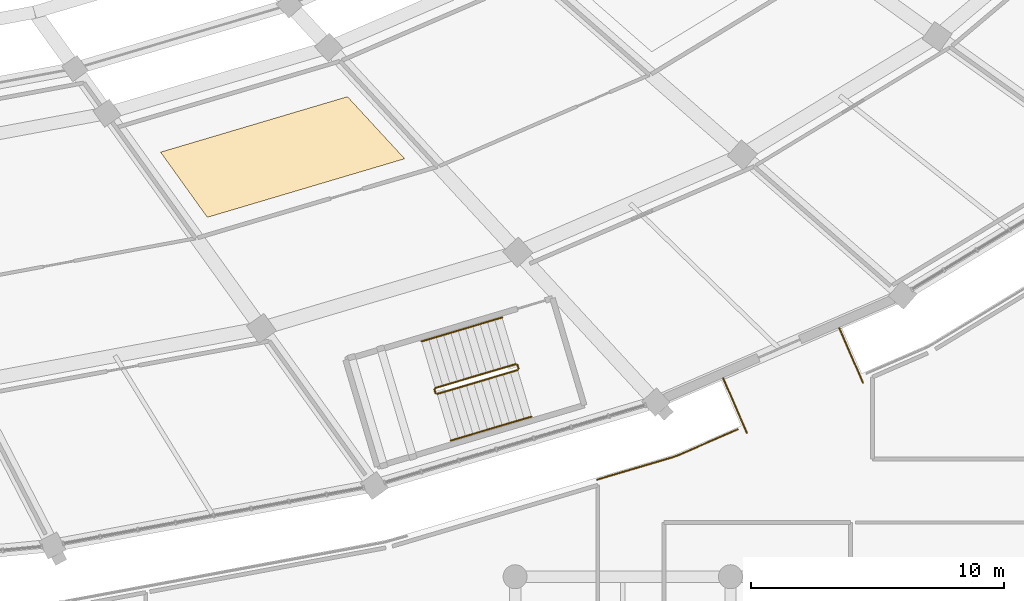
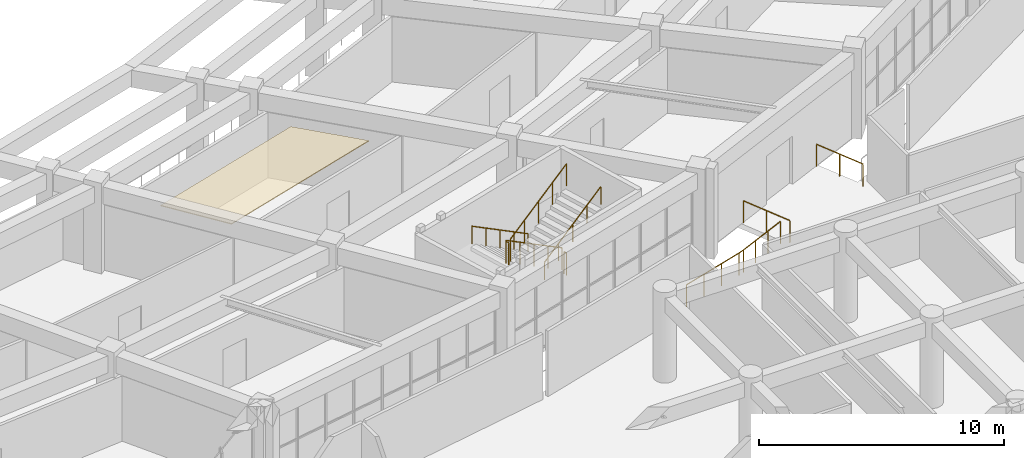
# One storey, part 129 of 145: 9 railings, 1 covering.
"""IFC4 building model written with IfcOpenShell, lengths in metres."""

from ifc_helpers import new_model, si_unit, direction, frame, origin, origin_2d, place, context, subcontext, project, spatial, polyline, circle, outline, extrude, material, layer, layer_set, type_object, element, save


model = new_model("IFC4")

# Units and contexts
model_context = context("Model", 3, precision=1e-05, world=origin(), true_north=direction((0.0, 1.0)))
body_context = subcontext(model_context, "Body", "Model", "MODEL_VIEW")
ifc_project = project(units=[si_unit("LENGTHUNIT", "METRE"), si_unit("AREAUNIT", "SQUARE_METRE"), si_unit("VOLUMEUNIT", "CUBIC_METRE"), si_unit("PLANEANGLEUNIT", "RADIAN"), si_unit("MASSUNIT", "GRAM", prefix="KILO")], contexts=[model_context])

# Site, building, storey
site_placement = place(None, origin())
site = spatial("IfcSite", under=ifc_project, at=site_placement, CompositionType="ELEMENT")
building_placement = place(site_placement, origin())
building = spatial("IfcBuilding", under=site, at=building_placement, Name="Mphavela Belvedere Stadium", CompositionType="ELEMENT")
storey_placement = place(building_placement, frame((0.0, 0.0, 10.199951171875)))
storey = spatial("IfcBuildingStorey", under=building, at=storey_placement, Name="L02", CompositionType="ELEMENT", Elevation=10.199951171875)

# Covering
ifc_material_1 = material(Name="Perforated acoustic mineral ceiling tile")
ifc_layer = layer(ifc_material_1, 0.0400390625)
ifc_layer_set = layer_set([ifc_layer], Name="Perforated acoustic mineral ceiling tile")
covering_type = type_object("IfcCoveringType", Name="COV-CEILING-ACOUSTIC", PredefinedType="CEILING", material=ifc_layer_set)
covering_placement = place(storey_placement, frame((0.0, 0.0, 3.199951171875)))
element("IfcCovering", 1, at=covering_placement, inside=storey, type_object=covering_type, Name="Concourse acoustic ceiling L02-40", PredefinedType="CEILING", context=body_context, shape_type="SweptSolid", body=[
    extrude(outline(polyline([(156.34765625, 30.79248046875), (163.7392578125, 32.986572265625), (166.002197265625, 30.532470703125), (158.197021484375, 28.2158203125), (156.34765625, 30.79248046875)])), origin(), (0.0, 0.0, 1.0), 0.0400390625),
])

# Railings
ifc_material_2 = material(Name="Bronze and laminated glass stadium balustrade", Category="glass")
railing_type_1 = type_object("IfcRailingType", Name="RAL-BALUSTRADE-1120", PredefinedType="BALUSTRADE", material=ifc_material_2)
railing_1_placement = place(storey_placement, frame((178.602783203125, 21.84619140625, 0.0)))
element("IfcRailing", 2, at=railing_1_placement, inside=storey, type_object=railing_type_1, Name="Colonnade link bridge balustrade L02-41A", PredefinedType="BALUSTRADE", context=body_context, shape_type="SweptSolid", body=[
    extrude(circle(Radius=0.02392578125, at=origin_2d()), frame((0.0, 0.0, 1.09619140625), z_axis=(0.397677406785, -0.917525302176, 0.0), x_axis=(0.917525302176, 0.397677406785, 0.0)), (0.0, 0.0, 1.0), 2.35009765625),
    extrude(circle(Radius=0.02099609375, at=origin_2d()), origin(), (0.0, 0.0, 1.0), 1.072021484375),
    extrude(circle(Radius=0.02099609375, at=origin_2d()), frame((0.46728515625, -1.078125, 0.0)), (0.0, 0.0, 1.0), 1.072021484375),
    extrude(circle(Radius=0.02099609375, at=origin_2d()), frame((0.9345703125, -2.15625, 0.0)), (0.0, 0.0, 1.0), 1.072021484375),
])
railing_2_placement = place(storey_placement, frame((183.190185546875, 23.834716796875, 0.0)))
element("IfcRailing", 3, at=railing_2_placement, inside=storey, type_object=railing_type_1, Name="Colonnade link bridge balustrade L02-41B", PredefinedType="BALUSTRADE", context=body_context, shape_type="SweptSolid", body=[
    extrude(circle(Radius=0.02392578125, at=origin_2d()), frame((0.0, 0.0, 1.09619140625), z_axis=(0.397802772945, -0.91747095531, 0.0), x_axis=(0.91747095531, 0.397802772945, 0.0)), (0.0, 0.0, 1.0), 2.349853515625),
    extrude(circle(Radius=0.02099609375, at=origin_2d()), origin(), (0.0, 0.0, 1.0), 1.072021484375),
    extrude(circle(Radius=0.02099609375, at=origin_2d()), frame((0.46728515625, -1.078125, 0.0)), (0.0, 0.0, 1.0), 1.072021484375),
    extrude(circle(Radius=0.02099609375, at=origin_2d()), frame((0.934814453125, -2.156005859375, 0.0)), (0.0, 0.0, 1.0), 1.072021484375),
])
railing_3_placement = place(storey_placement, frame((173.6171875, 17.841796875, 0.0)))
element("IfcRailing", 4, at=railing_3_placement, inside=storey, type_object=railing_type_1, Name="Peristyle wing gallery edge balustrade L02-06", PredefinedType="BALUSTRADE", context=body_context, shape_type="SweptSolid", body=[
    extrude(circle(Radius=0.02392578125, at=origin_2d()), frame((0.0, 0.0, 1.09619140625), z_axis=(0.958645524177, 0.284602809148, 0.0), x_axis=(-0.284602809148, 0.958645524177, 0.0)), (0.0, 0.0, 1.0), 3.101806640625),
    extrude(circle(Radius=0.02392578125, at=origin_2d()), frame((2.9736328125, 0.8828125, 1.09619140625), z_axis=(0.939740596708, 0.341888301786, 0.0), x_axis=(-0.341888301786, 0.939740596708, 0.0)), (0.0, 0.0, 1.0), 0.27001953125),
    extrude(circle(Radius=0.02392578125, at=origin_2d()), frame((3.227294921875, 0.97509765625, 1.09619140625), z_axis=(0.917490104343, 0.397758605731, 0.0), x_axis=(-0.397758605731, 0.917490104343, 0.0)), (0.0, 0.0, 1.0), 2.5380859375),
    extrude(circle(Radius=0.02099609375, at=origin_2d()), origin(), (0.0, 0.0, 1.0), 1.072021484375),
    extrude(circle(Radius=0.02099609375, at=origin_2d()), frame((0.9912109375, 0.294189453125, 0.0)), (0.0, 0.0, 1.0), 1.072021484375),
    extrude(circle(Radius=0.02099609375, at=origin_2d()), frame((1.982421875, 0.588623046875, 0.0)), (0.0, 0.0, 1.0), 1.072021484375),
    extrude(circle(Radius=0.02099609375, at=origin_2d()), frame((2.9736328125, 0.8828125, 0.0)), (0.0, 0.0, 1.0), 1.072021484375),
    extrude(circle(Radius=0.02099609375, at=origin_2d()), frame((3.227294921875, 0.97509765625, 0.0)), (0.0, 0.0, 1.0), 1.072021484375),
    extrude(circle(Radius=0.02099609375, at=origin_2d()), frame((4.00341796875, 1.3115234375, 0.0)), (0.0, 0.0, 1.0), 1.072021484375),
    extrude(circle(Radius=0.02099609375, at=origin_2d()), frame((4.77978515625, 1.648193359375, 0.0)), (0.0, 0.0, 1.0), 1.072021484375),
    extrude(circle(Radius=0.02099609375, at=origin_2d()), frame((5.555908203125, 1.984619140625, 0.0)), (0.0, 0.0, 1.0), 1.072021484375),
])
ifc_material_3 = material(Name="Painted galvanised steel stair guardrail", Category="steel")
railing_type_2 = type_object("IfcRailingType", Name="RAL-GUARD-1120", PredefinedType="GUARDRAIL", material=ifc_material_3)
railing_4_placement = place(storey_placement, frame((170.39990234375, 22.41259765625, 0.1875)))
element("IfcRailing", 5, at=railing_4_placement, inside=storey, type_object=railing_type_2, Name="L02 ST-P04 stair guard 1", PredefinedType="GUARDRAIL", context=body_context, shape_type="SweptSolid", body=[
    extrude(circle(Radius=0.02392578125, at=origin_2d()), frame((0.0, 0.0, 1.09619140625), z_axis=(-0.814456163261, -0.241701917202, 0.527485868386), x_axis=(0.284501194376, -0.958675685724, 0.0)), (0.0, 0.0, 1.0), 3.91015625),
    extrude(circle(Radius=0.02099609375, at=origin_2d()), origin(), (0.0, 0.0, 1.0), 1.072021484375),
    extrude(circle(Radius=0.02099609375, at=origin_2d()), frame((-0.796142578125, -0.236328125, 0.515625)), (0.0, 0.0, 1.0), 1.072021484375),
    extrude(circle(Radius=0.02099609375, at=origin_2d()), frame((-1.59228515625, -0.47265625, 1.03125)), (0.0, 0.0, 1.0), 1.072021484375),
    extrude(circle(Radius=0.02099609375, at=origin_2d()), frame((-2.388427734375, -0.708740234375, 1.546875)), (0.0, 0.0, 1.0), 1.072021484375),
    extrude(circle(Radius=0.02099609375, at=origin_2d()), frame((-3.1845703125, -0.945068359375, 2.0625)), (0.0, 0.0, 1.0), 1.072021484375),
])
railing_5_placement = place(storey_placement, frame((167.181640625, 21.4052734375, 2.25)))
element("IfcRailing", 6, at=railing_5_placement, inside=storey, type_object=railing_type_2, Name="L02 ST-P04 stair guard 2", PredefinedType="GUARDRAIL", context=body_context, shape_type="SweptSolid", body=[
    extrude(circle(Radius=0.02392578125, at=origin_2d()), frame((0.0, 0.0, 1.09619140625), z_axis=(0.284808608521, -0.958584402394, 0.0), x_axis=(0.958584402394, 0.284808608521, 0.0)), (0.0, 0.0, 1.0), 0.14990234375),
    extrude(circle(Radius=0.02099609375, at=origin_2d()), origin(), (0.0, 0.0, 1.0), 1.072021484375),
    extrude(circle(Radius=0.02099609375, at=origin_2d()), frame((0.042724609375, -0.143798828125, 0.0)), (0.0, 0.0, 1.0), 1.072021484375),
])
railing_6_placement = place(storey_placement, frame((167.286376953125, 21.227783203125, 2.4375)))
element("IfcRailing", 7, at=railing_6_placement, inside=storey, type_object=railing_type_2, Name="L02 ST-P04 stair guard 3", PredefinedType="GUARDRAIL", context=body_context, shape_type="SweptSolid", body=[
    extrude(circle(Radius=0.02392578125, at=origin_2d()), frame((0.0, 0.0, 1.09619140625), z_axis=(0.814464890619, 0.241748413682, 0.527451084396), x_axis=(-0.284548690927, 0.95866158914, 0.0)), (0.0, 0.0, 1.0), 3.910400390625),
    extrude(circle(Radius=0.02099609375, at=origin_2d()), origin(), (0.0, 0.0, 1.0), 1.072021484375),
    extrude(circle(Radius=0.02099609375, at=origin_2d()), frame((0.796142578125, 0.236328125, 0.515625)), (0.0, 0.0, 1.0), 1.072021484375),
    extrude(circle(Radius=0.02099609375, at=origin_2d()), frame((1.59228515625, 0.47265625, 1.03125)), (0.0, 0.0, 1.0), 1.072021484375),
    extrude(circle(Radius=0.02099609375, at=origin_2d()), frame((2.388671875, 0.708984375, 1.546875)), (0.0, 0.0, 1.0), 1.072021484375),
    extrude(circle(Radius=0.02099609375, at=origin_2d()), frame((3.184814453125, 0.9453125, 2.0625)), (0.0, 0.0, 1.0), 1.072021484375),
])
railing_7_placement = place(storey_placement, frame((170.462158203125, 22.37890625, 0.0)))
element("IfcRailing", 8, at=railing_7_placement, inside=storey, type_object=railing_type_2, Name="L02 ST-P04 stair guard 4", PredefinedType="GUARDRAIL", context=body_context, shape_type="SweptSolid", body=[
    extrude(circle(Radius=0.02392578125, at=origin_2d()), frame((0.0, 0.0, 1.09619140625), z_axis=(0.284808608521, -0.958584402394, 0.0), x_axis=(0.958584402394, 0.284808608521, 0.0)), (0.0, 0.0, 1.0), 0.14990234375),
    extrude(circle(Radius=0.02099609375, at=origin_2d()), origin(), (0.0, 0.0, 1.0), 1.072021484375),
    extrude(circle(Radius=0.02099609375, at=origin_2d()), frame((0.042724609375, -0.143798828125, 0.0)), (0.0, 0.0, 1.0), 1.072021484375),
])
ifc_material_4 = material(Name="Brushed stainless steel tubular handrail", Category="steel")
railing_type_3 = type_object("IfcRailingType", Name="RAL-HANDRAIL-900", PredefinedType="HANDRAIL", material=ifc_material_4)
railing_8_placement = place(storey_placement, frame((169.853759765625, 24.25341796875, 0.1875)))
element("IfcRailing", 9, at=railing_8_placement, inside=storey, type_object=railing_type_3, Name="L02 ST-P04 stair handrail 1", PredefinedType="HANDRAIL", context=body_context, shape_type="SweptSolid", body=[
    extrude(circle(Radius=0.02392578125, at=origin_2d()), frame((0.0, 0.0, 0.8759765625), z_axis=(-0.814464890619, -0.241748413682, 0.527451084396), x_axis=(0.284548690927, -0.95866158914, 0.0)), (0.0, 0.0, 1.0), 3.910400390625),
    extrude(circle(Radius=0.02099609375, at=origin_2d()), origin(), (0.0, 0.0, 1.0), 0.851806640625),
    extrude(circle(Radius=0.02099609375, at=origin_2d()), frame((-0.796142578125, -0.236328125, 0.515625)), (0.0, 0.0, 1.0), 0.851806640625),
    extrude(circle(Radius=0.02099609375, at=origin_2d()), frame((-1.59228515625, -0.47265625, 1.03125)), (0.0, 0.0, 1.0), 0.851806640625),
    extrude(circle(Radius=0.02099609375, at=origin_2d()), frame((-2.388671875, -0.708984375, 1.546875)), (0.0, 0.0, 1.0), 0.851806640625),
    extrude(circle(Radius=0.02099609375, at=origin_2d()), frame((-3.184814453125, -0.9453125, 2.0625)), (0.0, 0.0, 1.0), 0.851806640625),
])
railing_9_placement = place(storey_placement, frame((167.832763671875, 19.38720703125, 2.4375)))
element("IfcRailing", 10, at=railing_9_placement, inside=storey, type_object=railing_type_3, Name="L02 ST-P04 stair handrail 2", PredefinedType="HANDRAIL", context=body_context, shape_type="SweptSolid", body=[
    extrude(circle(Radius=0.02392578125, at=origin_2d()), frame((0.0, 0.0, 0.8759765625), z_axis=(0.814456163261, 0.241701917202, 0.527485868386), x_axis=(-0.284501194376, 0.958675685724, 0.0)), (0.0, 0.0, 1.0), 3.91015625),
    extrude(circle(Radius=0.02099609375, at=origin_2d()), origin(), (0.0, 0.0, 1.0), 0.851806640625),
    extrude(circle(Radius=0.02099609375, at=origin_2d()), frame((0.796142578125, 0.236328125, 0.515625)), (0.0, 0.0, 1.0), 0.851806640625),
    extrude(circle(Radius=0.02099609375, at=origin_2d()), frame((1.59228515625, 0.47265625, 1.03125)), (0.0, 0.0, 1.0), 0.851806640625),
    extrude(circle(Radius=0.02099609375, at=origin_2d()), frame((2.388427734375, 0.708740234375, 1.546875)), (0.0, 0.0, 1.0), 0.851806640625),
    extrude(circle(Radius=0.02099609375, at=origin_2d()), frame((3.1845703125, 0.945068359375, 2.0625)), (0.0, 0.0, 1.0), 0.851806640625),
])

save(model, "model.ifc")
